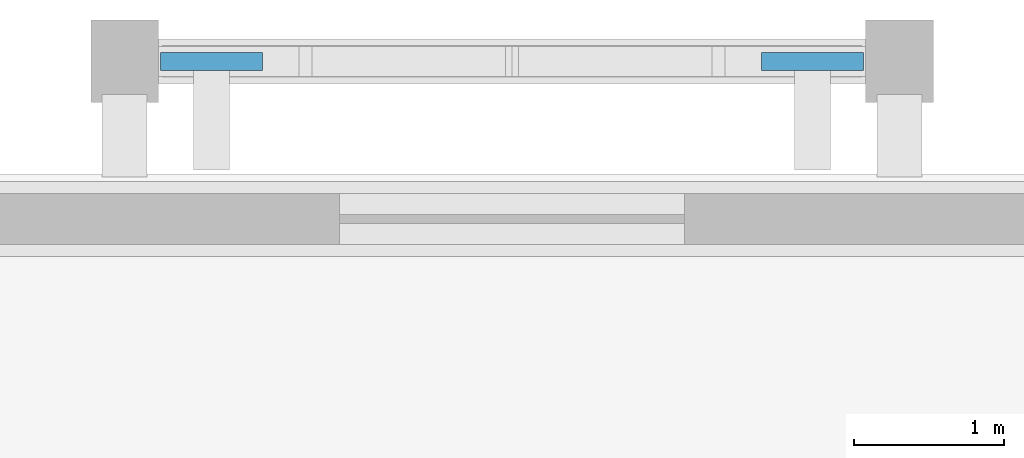
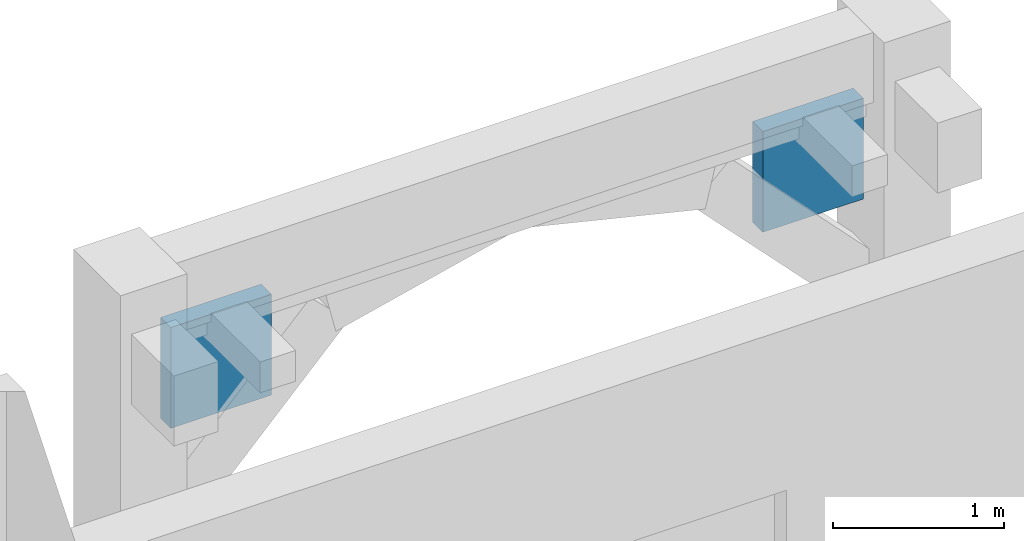
# One storey, part 107 of 129: 2 plates.
"""IFC4 building model written with IfcOpenShell, lengths in metres."""

from ifc_helpers import new_model, si_unit, direction, frame, origin, origin_2d, place, context, subcontext, project, spatial, rectangle, extrude, material, layer, layer_set, type_object, element, save


model = new_model("IFC4")

# Units and contexts
model_context = context("Model", 3, precision=1e-05, world=origin(), true_north=direction((0.0, 1.0)))
body_context = subcontext(model_context, "Body", "Model", "MODEL_VIEW")
ifc_project = project(units=[si_unit("LENGTHUNIT", "METRE"), si_unit("AREAUNIT", "SQUARE_METRE"), si_unit("VOLUMEUNIT", "CUBIC_METRE"), si_unit("PLANEANGLEUNIT", "RADIAN"), si_unit("MASSUNIT", "GRAM", prefix="KILO")], contexts=[model_context])

# Site, building, storey
site_placement = place(None, origin())
site = spatial("IfcSite", under=ifc_project, at=site_placement, CompositionType="ELEMENT")
building_placement = place(site_placement, origin())
building = spatial("IfcBuilding", under=site, at=building_placement, Name="Xazarin Passage Department Store", CompositionType="ELEMENT")
storey_placement = place(building_placement, frame((0.0, 0.0, 9.89990234375)))
storey = spatial("IfcBuildingStorey", under=building, at=storey_placement, Name="L02", CompositionType="ELEMENT", Elevation=9.89990234375)

# Plates
ifc_material = material(Name="Precast concrete C40/50", Category="concrete")
ifc_layer = layer(ifc_material, 0.1201171875)
ifc_layer_set = layer_set([ifc_layer], Name="Precast concrete C40/50")
plate_type = type_object("IfcPlateType", Name="ARC-PLT-SCR-05", PredefinedType="USERDEFINED", material=ifc_layer_set)
for number, where, z_axis, x_axis, name in (
    (1, (138.199951171875, 111.050048828125, 3.26025390625), (0.0, 0.0, 1.0), (1.0, 0.0, 0.0), "L02 V4 Arch Spandrel Tympanum 0325"),
    (2, (142.199951171875, 111.050048828125, 3.26025390625), (0.0, 0.0, 1.0), (1.0, 0.0, 0.0), "L02 V4 Arch Spandrel Tympanum 0326"),
):
    element("IfcPlate", number, at=place(storey_placement, frame(where, z_axis=z_axis, x_axis=x_axis)), inside=storey, type_object=plate_type, Name=name, ObjectType="SCREEN PANEL", PredefinedType="USERDEFINED", context=body_context, shape_type="SweptSolid", body=[
        extrude(rectangle(XDim=0.679931640625, YDim=0.1201171875, at=origin_2d()), origin(), (0.0, 0.0, 1.0), 0.719970703125),
    ])

save(model, "model.ifc")
